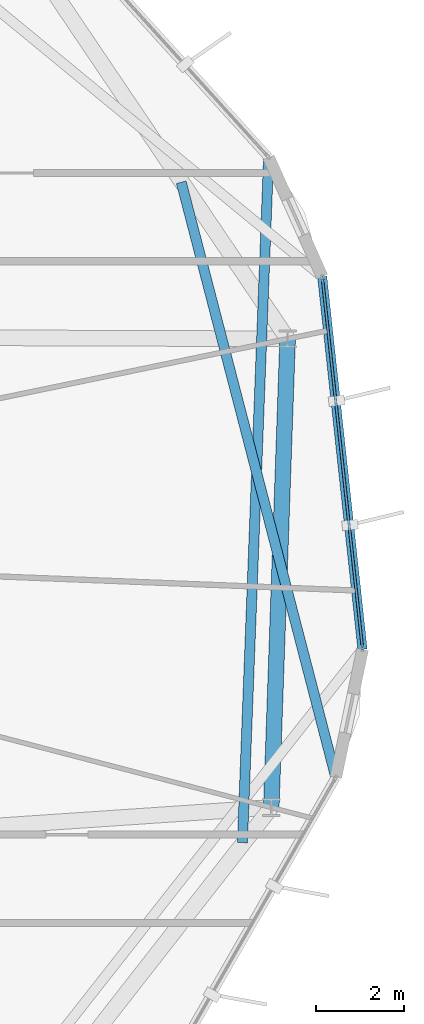
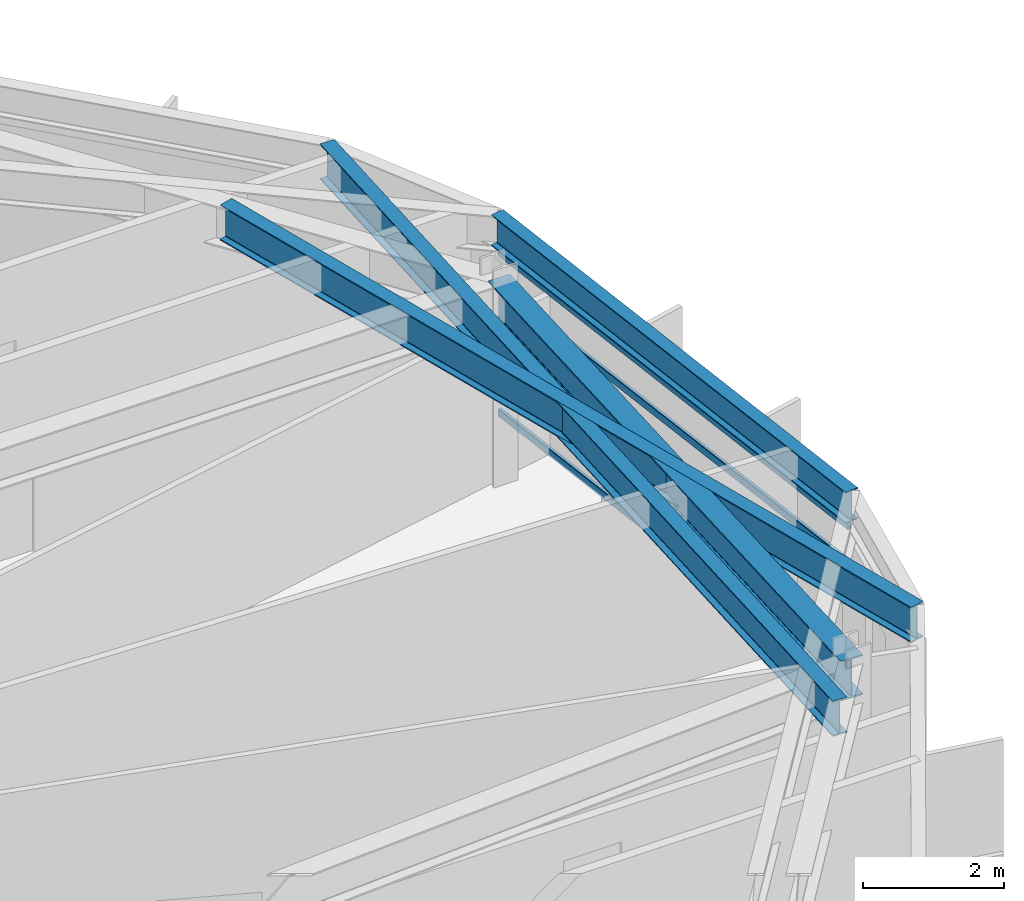
# One storey, part 11 of 23: 4 beams, 3 members, 1 element without a shape of its own.
"""IFC4 building model written with IfcOpenShell, lengths in metres."""

from ifc_helpers import new_model, si_unit, direction, frame, origin, origin_2d, place, context, subcontext, project, spatial, hollow_rectangle, i_section, extrude, material, layer, layer_set, material_profile, profile_set, type_object, element, aggregate, save


model = new_model("IFC4")

# Units and contexts
model_context = context("Model", 3, precision=1e-05, world=origin(), true_north=direction((0.0, 1.0)))
body_context = subcontext(model_context, "Body", "Model", "MODEL_VIEW")
ifc_project = project(units=[si_unit("LENGTHUNIT", "METRE"), si_unit("AREAUNIT", "SQUARE_METRE"), si_unit("VOLUMEUNIT", "CUBIC_METRE"), si_unit("PLANEANGLEUNIT", "RADIAN"), si_unit("MASSUNIT", "GRAM", prefix="KILO")], contexts=[model_context])

# Site, building, storey
site_placement = place(None, origin())
site = spatial("IfcSite", under=ifc_project, at=site_placement, CompositionType="ELEMENT")
building_placement = place(site_placement, origin())
building = spatial("IfcBuilding", under=site, at=building_placement, Name="Soratama Intermodal Tower", CompositionType="ELEMENT")
storey_placement = place(building_placement, frame((0.0, 0.0, 253.75)))
storey = spatial("IfcBuildingStorey", under=building, at=storey_placement, Name="L64", CompositionType="ELEMENT", Elevation=253.75)

# Beams
ifc_material_1 = material(Name="Structural steel ASTM A992 Grade 50", Category="steel")
ifc_material_profile_1 = material_profile(ifc_material_1, i_section(OverallWidth=0.35498046875, OverallDepth=0.695068359375, WebThickness=0.015380859375, FlangeThickness=0.02490234375, FilletRadius=0.01611328125, at=origin_2d()), Name="W27X146")
ifc_profile_set_1 = profile_set([ifc_material_profile_1], Name="Structural steel ASTM A992 Grade 50")
beam_type_1 = type_object("IfcBeamType", Name="BM-RING-W27X146", PredefinedType="BEAM", material=ifc_profile_set_1)
beam_1_placement = place(storey_placement, frame((61.1630859375, 19.116943359375, 3.1025390625), z_axis=(0.034885453879, 0.999391317307, 0.0), x_axis=(-0.999391317307, 0.034885453879, 0.0)))
element("IfcBeam", 1, at=beam_1_placement, inside=storey, type_object=beam_type_1, Name="BM-L64-RING-10", PredefinedType="BEAM", context=body_context, shape_type="SweptSolid", body=[
    extrude(i_section(OverallWidth=0.35498046875, OverallDepth=0.695068359375, WebThickness=0.015380859375, FlangeThickness=0.02490234375, FilletRadius=0.01611328125, at=origin_2d()), origin(), (0.0, 0.0, 1.0), 10.630615234375),
])
ifc_material_2 = material(Name="Structural steel ASTM A992 Grade 50", Category="steel")
ifc_material_profile_2 = material_profile(ifc_material_2, i_section(OverallWidth=0.2099609375, OverallDepth=0.537109375, WebThickness=0.010986328125, FlangeThickness=0.017333984375, FilletRadius=0.012939453125, at=origin_2d()), Name="W21X68")
ifc_profile_set_2 = profile_set([ifc_material_profile_2], Name="Structural steel ASTM A992 Grade 50")
beam_type_2 = type_object("IfcBeamType", Name="BM-SPN-W21X68", PredefinedType="SPANDREL", material=ifc_profile_set_2)
beam_2_placement = place(storey_placement, frame((63.23291015625, 22.699951171875, 3.181396484375), z_axis=(-0.107631479861, 0.994190859213, 0.0), x_axis=(-0.994190859213, -0.107631479861, 0.0)))
element("IfcBeam", 2, at=beam_2_placement, inside=storey, type_object=beam_type_2, Name="BS-L64-F09", PredefinedType="SPANDREL", context=body_context, shape_type="SweptSolid", body=[
    extrude(i_section(OverallWidth=0.2099609375, OverallDepth=0.537109375, WebThickness=0.010986328125, FlangeThickness=0.017333984375, FilletRadius=0.012939453125, at=origin_2d()), origin(), (0.0, 0.0, 1.0), 8.499267578125),
])
ifc_material_3 = material(Name="Structural steel ASTM A992 Grade 50", Category="steel")
ifc_material_profile_3 = material_profile(ifc_material_3, i_section(OverallWidth=0.22900390625, OverallDepth=0.612060546875, WebThickness=0.011962890625, FlangeThickness=0.01953125, FilletRadius=0.012939453125, at=origin_2d()), Name="W24X84")
ifc_profile_set_3 = profile_set([ifc_material_profile_3], Name="Structural steel ASTM A992 Grade 50")
beam_type_3 = type_object("IfcBeamType", Name="BM-TIE-W24X84", PredefinedType="BEAM", material=ifc_profile_set_3)
beam_3_placement = place(storey_placement, frame((59.123046875, 33.291015625, 3.14404296875), z_axis=(0.251244120592, -0.967923753127, 0.0), x_axis=(0.967923753127, 0.251244120592, 0.0)))
element("IfcBeam", 3, at=beam_3_placement, inside=storey, type_object=beam_type_3, Name="BM-L64-TIE1-08", PredefinedType="BEAM", context=body_context, shape_type="SweptSolid", body=[
    extrude(i_section(OverallWidth=0.22900390625, OverallDepth=0.612060546875, WebThickness=0.011962890625, FlangeThickness=0.01953125, FilletRadius=0.012939453125, at=origin_2d()), origin(), (0.0, 0.0, 1.0), 13.9423828125),
])
beam_4_placement = place(storey_placement, frame((60.509033203125, 18.319091796875, 3.14404296875), z_axis=(0.038203363874, 0.999269985033, 0.0), x_axis=(-0.999269985033, 0.038203363874, 0.0)))
element("IfcBeam", 4, at=beam_4_placement, inside=storey, type_object=beam_type_3, Name="BM-L64-TIE0-10", PredefinedType="BEAM", context=body_context, shape_type="SweptSolid", body=[
    extrude(i_section(OverallWidth=0.22900390625, OverallDepth=0.612060546875, WebThickness=0.011962890625, FlangeThickness=0.01953125, FilletRadius=0.012939453125, at=origin_2d()), origin(), (0.0, 0.0, 1.0), 15.548095703125),
])

# Curtain wall, members
ifc_material_4 = material(Name="Double-glazed aluminium curtain wall", Category="aluminium")
ifc_layer = layer(ifc_material_4, 0.159912109375)
ifc_layer_set = layer_set([ifc_layer], Name="Double-glazed aluminium curtain wall")
curtain_wall_type = type_object("IfcCurtainWallType", Name="CW-SYS-5", PredefinedType="NOTDEFINED", material=ifc_layer_set)
curtain_wall_placement = place(storey_placement, origin())
curtain_wall = element("IfcCurtainWall", 5, at=curtain_wall_placement, inside=storey, type_object=curtain_wall_type, Name="L64 Faceted Curtain Wall F09", PredefinedType="NOTDEFINED")
ifc_material_5 = material(Name="Anodised aluminium AA 6063-T6", Category="aluminium")
ifc_material_profile_4 = material_profile(ifc_material_5, hollow_rectangle(XDim=0.06005859375, YDim=0.1298828125, WallThickness=0.0048828125, InnerFilletRadius=0.0048828125, OuterFilletRadius=0.010009765625, at=origin_2d()), Name="CWT130X60X5")
ifc_profile_set_4 = profile_set([ifc_material_profile_4], Name="Anodised aluminium AA 6063-T6")
member_type = type_object("IfcMemberType", Name="TT-CWT-2", PredefinedType="USERDEFINED", material=ifc_profile_set_4)
member_1_placement = place(storey_placement, frame((63.22705078125, 22.75927734375, 0.030029296875), z_axis=(-0.107652294504, 0.994188605592, 0.0), x_axis=(-0.994188605592, -0.107652294504, 0.0)))
member_1 = element("IfcMember", 6, at=member_1_placement, type_object=member_type, Name="CW-5 transom 1.1", ObjectType="TRANSOM", PredefinedType="USERDEFINED", context=body_context, shape_type="SweptSolid", body=[
    extrude(hollow_rectangle(XDim=0.06005859375, YDim=0.1298828125, WallThickness=0.0048828125, InnerFilletRadius=0.0048828125, OuterFilletRadius=0.010009765625, at=origin_2d()), origin(), (0.0, 0.0, 1.0), 8.379638671875),
])
member_2_placement = place(storey_placement, frame((63.22705078125, 22.75927734375, 2.14990234375), z_axis=(-0.107652294504, 0.994188605592, 0.0), x_axis=(-0.994188605592, -0.107652294504, 0.0)))
member_2 = element("IfcMember", 7, at=member_2_placement, type_object=member_type, Name="CW-5 transom 1.2", ObjectType="TRANSOM", PredefinedType="USERDEFINED", context=body_context, shape_type="SweptSolid", body=[
    extrude(hollow_rectangle(XDim=0.06005859375, YDim=0.1298828125, WallThickness=0.0048828125, InnerFilletRadius=0.0048828125, OuterFilletRadius=0.010009765625, at=origin_2d()), origin(), (0.0, 0.0, 1.0), 8.379638671875),
])
member_3_placement = place(storey_placement, frame((63.22705078125, 22.75927734375, 2.799072265625), z_axis=(-0.107652294504, 0.994188605592, 0.0), x_axis=(-0.994188605592, -0.107652294504, 0.0)))
member_3 = element("IfcMember", 8, at=member_3_placement, type_object=member_type, Name="CW-5 transom 1.3", ObjectType="TRANSOM", PredefinedType="USERDEFINED", context=body_context, shape_type="SweptSolid", body=[
    extrude(hollow_rectangle(XDim=0.06005859375, YDim=0.1298828125, WallThickness=0.0048828125, InnerFilletRadius=0.0048828125, OuterFilletRadius=0.010009765625, at=origin_2d()), origin(), (0.0, 0.0, 1.0), 8.379638671875),
])
aggregate(curtain_wall, [member_1, member_2, member_3])

save(model, "model.ifc")
